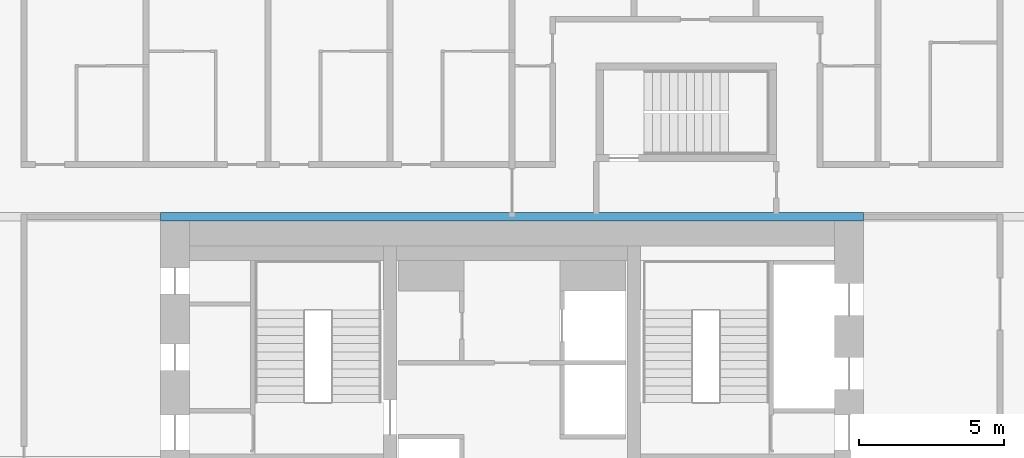
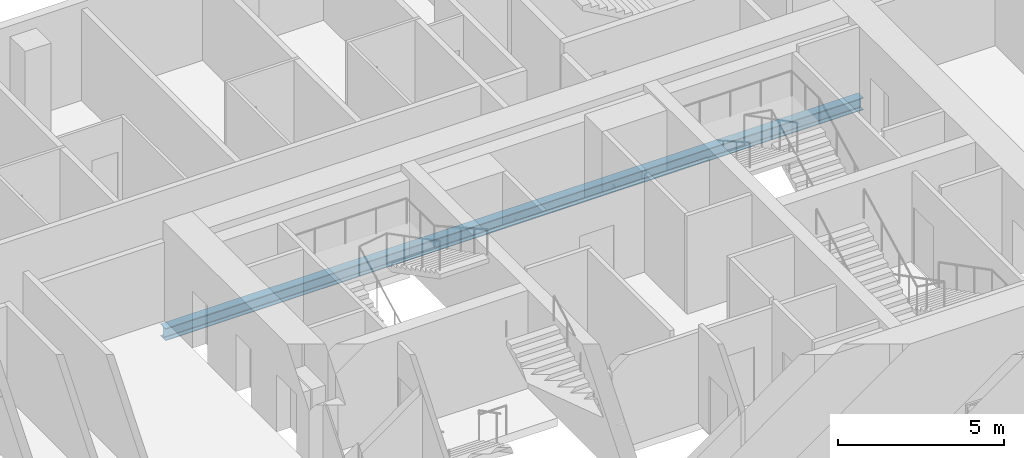
# One storey, part 9 of 23: 1 beam.
"""IFC4 building model written with IfcOpenShell, lengths in metres."""

import ifcopenshell
import ifcopenshell.guid

model = None  # the IFC model being written
_history = None  # IfcOwnerHistory: only IFC2X3 demands one
_inside = {}  # id of a spatial element -> (the spatial element, [elements in it])
_under = {}  # id of a project, library or spatial element -> (it, [spatial elements below it])
_declared = {}  # id of a project -> (the project, [libraries it declares])
_typed = {}  # id of a type object -> (the type object, [elements of that type])
_made_of = {}  # id of a material, layer set ... -> (it, [elements and type objects made of it])


def new_model(schema):
    """Start an empty IFC model of exactly this schema.

    Asked for "IFC4X3", IfcOpenShell would pick the latest addendum, in which some entities
    have other attributes; the version numbers below select the first issue.
    IFC2X3 requires an IfcOwnerHistory on every rooted entity: one is made here for all.
    """
    global model, _history
    if schema == "IFC4X3":
        model = ifcopenshell.file(schema_version=(4, 3, 0, 0))
    else:
        model = ifcopenshell.file(schema=schema)
    _inside.clear()
    _under.clear()
    _declared.clear()
    _typed.clear()
    _made_of.clear()
    _history = None
    if model.schema == "IFC2X3":
        org = make("IfcOrganization", Name="unknown")
        user = make(
            "IfcPersonAndOrganization",
            ThePerson=make("IfcPerson", FamilyName="unknown"),
            TheOrganization=org,
        )
        app = make(
            "IfcApplication",
            ApplicationDeveloper=org,
            Version="unknown",
            ApplicationFullName="unknown",
            ApplicationIdentifier="unknown",
        )
        _history = make(
            "IfcOwnerHistory",
            OwningUser=user,
            OwningApplication=app,
            ChangeAction="ADDED",
            CreationDate=0,
        )
    return model


def make(cls, **values):
    """One entity of the class cls with the attributes given. An attribute that is None is left unset."""
    return model.create_entity(
        cls, **{name: value for name, value in values.items() if value is not None}
    )


def rooted(cls, **values):
    """An entity with a GlobalId (a new one), such as an element, a storey or a relation."""
    return make(cls, GlobalId=ifcopenshell.guid.new(), OwnerHistory=_history, **values)


def si_unit(unit_type, name, prefix=None):
    """IfcSIUnit, for example si_unit("LENGTHUNIT", "METRE", prefix="MILLI")."""
    return make("IfcSIUnit", UnitType=unit_type, Prefix=prefix, Name=name)


def assignment(units):
    """IfcUnitAssignment: the units of a project."""
    return None if units is None else make("IfcUnitAssignment", Units=units)


def point(xyz):
    """IfcCartesianPoint."""
    return None if xyz is None else make("IfcCartesianPoint", Coordinates=xyz)


def direction(xyz):
    """IfcDirection."""
    return None if xyz is None else make("IfcDirection", DirectionRatios=xyz)


def frame(location, z_axis=None, x_axis=None):
    """IfcAxis2Placement3D, a coordinate frame: its origin and axes. An axis left out is left unset."""
    return make(
        "IfcAxis2Placement3D",
        Location=point(location),
        Axis=direction(z_axis),
        RefDirection=direction(x_axis),
    )


def frame_2d(location, x_axis=None):
    """IfcAxis2Placement2D, a coordinate frame in the plane: its origin and x axis."""
    return make(
        "IfcAxis2Placement2D", Location=point(location), RefDirection=direction(x_axis)
    )


def origin():
    """The frame at (0, 0, 0) with its axes left unset."""
    return frame((0.0, 0.0, 0.0))


def origin_2d():
    """The frame at (0, 0) in the plane with its x axis left unset."""
    return frame_2d((0.0, 0.0))


def place(relative_to, where):
    """IfcLocalPlacement: puts the frame where relative to a parent placement (None: the world)."""
    return make(
        "IfcLocalPlacement", PlacementRelTo=relative_to, RelativePlacement=where
    )


def context(
    kind, dimensions, precision=None, world=None, true_north=None, identifier=None
):
    """IfcGeometricRepresentationContext, for example the 3D "Model" context."""
    return make(
        "IfcGeometricRepresentationContext",
        ContextIdentifier=identifier,
        ContextType=kind,
        CoordinateSpaceDimension=dimensions,
        Precision=precision,
        WorldCoordinateSystem=world,
        TrueNorth=true_north,
    )


def subcontext(parent, identifier, kind, view, scale=None):
    """IfcGeometricRepresentationSubContext, for example "Body" below "Model"."""
    return make(
        "IfcGeometricRepresentationSubContext",
        ContextIdentifier=identifier,
        ContextType=kind,
        ParentContext=parent,
        TargetScale=scale,
        TargetView=view,
    )


def project(units=None, contexts=None):
    """IfcProject with its units and contexts."""
    return rooted(
        "IfcProject",
        Name="project",
        RepresentationContexts=contexts,
        UnitsInContext=assignment(units),
    )


def spatial(cls, under=None, at=None, **own):
    """A site, building, storey or space (cls), placed at a placement, below another one or the project."""
    s = rooted(cls, ObjectPlacement=at, **own)
    if under is not None:
        _under.setdefault(under.id(), (under, []))[1].append(s)
    return s


def profile(cls, at=None, kind="AREA", **sizes):
    """A parametric profile (cls). Its sizes go by their IFC names, for example OverallWidth=200.0."""
    return make(cls, ProfileType=kind, Position=at, **sizes)


def i_section(**sizes):
    """IfcIShapeProfileDef."""
    return profile("IfcIShapeProfileDef", **sizes)


def extrude(swept, where, along, depth):
    """IfcExtrudedAreaSolid: the profile swept, set in the frame where, extruded along a direction by depth."""
    return make(
        "IfcExtrudedAreaSolid",
        SweptArea=swept,
        Position=where,
        ExtrudedDirection=direction(along),
        Depth=depth,
    )


def shape(context_of_items, identifier, shape_type, items):
    """IfcShapeRepresentation: the items that make up one representation, for example the "Body"."""
    return make(
        "IfcShapeRepresentation",
        ContextOfItems=context_of_items,
        RepresentationIdentifier=identifier,
        RepresentationType=shape_type,
        Items=items,
    )


def material(Name=None, Category=None):
    """IfcMaterial."""
    return make("IfcMaterial", Name=Name, Category=Category)


def material_profile(
    of_material, cross_section, Name=None, Category=None, Priority=None
):
    """IfcMaterialProfile: a cross section and its material."""
    return make(
        "IfcMaterialProfile",
        Name=Name,
        Material=of_material,
        Profile=cross_section,
        Priority=Priority,
        Category=Category,
    )


def profile_set(profiles, Name=None, composite=None):
    """IfcMaterialProfileSet."""
    return make(
        "IfcMaterialProfileSet",
        Name=Name,
        MaterialProfiles=profiles,
        CompositeProfile=composite,
    )


def made_of(thing, what):
    """Note that an element or type object is made of a material, layer set ...; save() writes the relation."""
    if what is not None:
        _made_of.setdefault(what.id(), (what, []))[1].append(thing)
    return thing


def type_object(cls, material=None, **own):
    """A type object (cls), such as IfcWallType, which elements share."""
    return made_of(rooted(cls, **own), material)


def element(
    cls,
    number,
    at=None,
    inside=None,
    cuts=None,
    type_object=None,
    material=None,
    context=None,
    identifier="Body",
    shape_type=None,
    held_by="IfcProductDefinitionShape",
    body=None,
    shapes=None,
    **own,
):
    """One element of the class cls, such as IfcWall. Its Tag is "e" and its number.

    at: its placement. inside: the storey or other place that contains it. cuts: it is an
    opening in that element (IfcRelVoidsElement). A single representation is given by context,
    identifier, shape_type and body (its items); several are given by shapes. held_by: the class
    of the entity that holds the representations. save() writes the other relations.
    """
    e = rooted(cls, Tag="e%d" % number, ObjectPlacement=at, **own)
    if body is not None:
        shapes = [shape(context, identifier, shape_type, body)]
    if shapes is not None:
        e.Representation = make(held_by, Representations=shapes)
    if inside is not None:
        _inside.setdefault(inside.id(), (inside, []))[1].append(e)
    if cuts is not None:
        rooted(
            "IfcRelVoidsElement", RelatingBuildingElement=cuts, RelatedOpeningElement=e
        )
    if type_object is not None:
        _typed.setdefault(type_object.id(), (type_object, []))[1].append(e)
    return made_of(e, material)


def aggregate(whole, parts):
    """IfcRelAggregates: a whole, such as a stair, and the parts it consists of."""
    return rooted("IfcRelAggregates", RelatingObject=whole, RelatedObjects=parts)


def save(model, path):
    """Write the relations noted so far, then the file.

    IfcRelAggregates (storeys below a building ...), IfcRelContainedInSpatialStructure (elements
    in a storey), IfcRelDefinesByType, IfcRelAssociatesMaterial and IfcRelDeclares: one each for
    every whole, place, type object, material and project.
    """
    for whole, parts in _under.values():
        aggregate(whole, parts)
    for where, things in _inside.values():
        rooted(
            "IfcRelContainedInSpatialStructure",
            RelatedElements=things,
            RelatingStructure=where,
        )
    for kind, things in _typed.values():
        rooted("IfcRelDefinesByType", RelatedObjects=things, RelatingType=kind)
    for what, things in _made_of.values():
        rooted("IfcRelAssociatesMaterial", RelatedObjects=things, RelatingMaterial=what)
    for by, libraries in _declared.values():
        rooted("IfcRelDeclares", RelatingContext=by, RelatedDefinitions=libraries)
    model.write(path)


model = new_model("IFC4")

# Units and contexts
model_context = context("Model", 3, precision=1e-05, world=origin(), true_north=direction((0.0, 1.0)))
body_context = subcontext(model_context, "Body", "Model", "MODEL_VIEW")
ifc_project = project(units=[si_unit("LENGTHUNIT", "METRE"), si_unit("AREAUNIT", "SQUARE_METRE"), si_unit("VOLUMEUNIT", "CUBIC_METRE"), si_unit("PLANEANGLEUNIT", "RADIAN"), si_unit("MASSUNIT", "GRAM", prefix="KILO")], contexts=[model_context])

# Site, building, storey
site_placement = place(None, origin())
site = spatial("IfcSite", under=ifc_project, at=site_placement, CompositionType="ELEMENT")
building_placement = place(site_placement, origin())
building = spatial("IfcBuilding", under=site, at=building_placement, Name="Marenta Gate Hotel Tower", CompositionType="ELEMENT")
storey_placement = place(building_placement, frame((0.0, 0.0, 119.300048828125)))
storey = spatial("IfcBuildingStorey", under=building, at=storey_placement, Name="L26", CompositionType="ELEMENT", Elevation=119.300048828125)

# Beam
ifc_material = material(Name="Steel S355", Category="steel")
ifc_material_profile = material_profile(ifc_material, i_section(OverallWidth=0.300048828125, OverallDepth=0.449951171875, WebThickness=0.013916015625, FlangeThickness=0.02587890625, FilletRadius=0.027099609375, at=origin_2d()), Name="HEB 450")
ifc_profile_set = profile_set([ifc_material_profile], Name="Steel S355")
beam_type = type_object("IfcBeamType", Name="Girder HEB 450", PredefinedType="BEAM", material=ifc_profile_set)
beam_placement = place(storey_placement, frame((-12.10009765625, 16.800048828125, -0.485107421875), z_axis=(1.0, 0.0, 0.0), x_axis=(0.0, 1.0, 0.0)))
element("IfcBeam", 1, at=beam_placement, inside=storey, type_object=beam_type, Name="L26-GD-26", PredefinedType="BEAM", context=body_context, shape_type="SweptSolid", body=[
    extrude(i_section(OverallWidth=0.300048828125, OverallDepth=0.449951171875, WebThickness=0.013916015625, FlangeThickness=0.02587890625, FilletRadius=0.027099609375, at=origin_2d()), origin(), (0.0, 0.0, 1.0), 24.2001953125),
])

save(model, "model.ifc")
